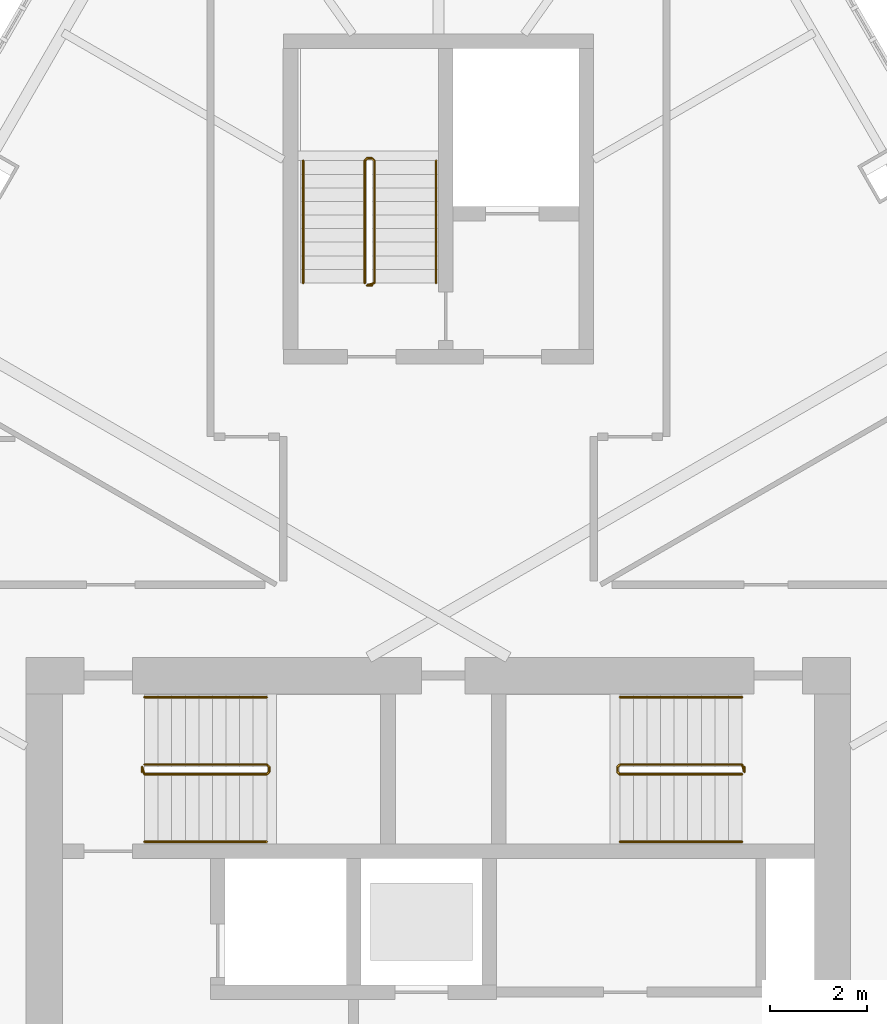
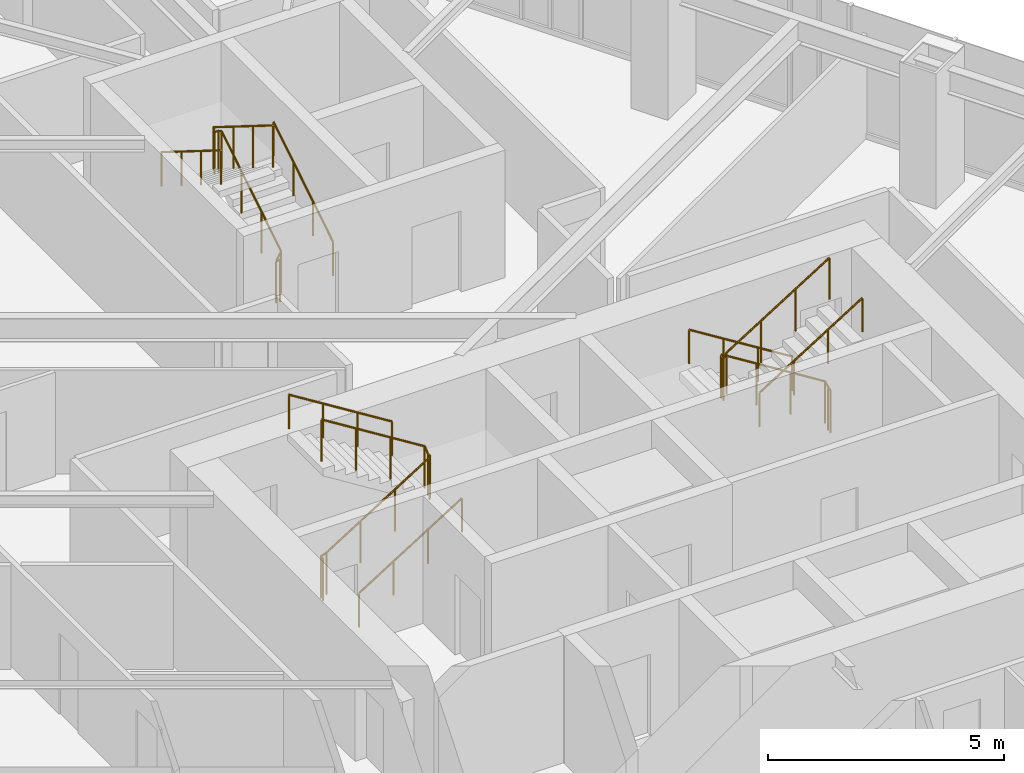
# One storey, part 19 of 20: 9 railings.
"""IFC4 building model written with IfcOpenShell, lengths in metres."""

from ifc_helpers import new_model, si_unit, direction, frame, origin, origin_2d, place, context, subcontext, project, spatial, circle, extrude, material, type_object, element, save


model = new_model("IFC4")

# Units and contexts
model_context = context("Model", 3, precision=1e-05, world=origin(), true_north=direction((0.0, 1.0)))
body_context = subcontext(model_context, "Body", "Model", "MODEL_VIEW")
ifc_project = project(units=[si_unit("LENGTHUNIT", "METRE"), si_unit("AREAUNIT", "SQUARE_METRE"), si_unit("VOLUMEUNIT", "CUBIC_METRE"), si_unit("PLANEANGLEUNIT", "RADIAN"), si_unit("MASSUNIT", "GRAM", prefix="KILO")], contexts=[model_context])

# Site, building, storey
site_placement = place(None, origin())
site = spatial("IfcSite", under=ifc_project, at=site_placement, CompositionType="ELEMENT")
building_placement = place(site_placement, origin())
building = spatial("IfcBuilding", under=site, at=building_placement, Name="Firuza Gate Tower and Library", CompositionType="ELEMENT")
storey_placement = place(building_placement, frame((0.0, 0.0, 277.60009765625)))
storey = spatial("IfcBuildingStorey", under=building, at=storey_placement, Name="L66", CompositionType="ELEMENT", Elevation=277.60009765625)

# Railings
ifc_material_1 = material(Name="Steel S355", Category="steel")
railing_type_1 = type_object("IfcRailingType", Name="Stair guard 1100", PredefinedType="GUARDRAIL", material=ifc_material_1)
railing_1_placement = place(storey_placement, frame((68.889892578125, 79.389892578125, 0.0)))
element("IfcRailing", 1, at=railing_1_placement, inside=storey, type_object=railing_type_1, Name="L66 ST1 stair guard 1", PredefinedType="GUARDRAIL", context=body_context, shape_type="SweptSolid", body=[
    extrude(circle(Radius=0.02392578125, at=origin_2d()), frame((0.0, 0.0, 1.076171875), z_axis=(0.0, 1.0, 0.0), x_axis=(-1.0, 0.0, 0.0)), (0.0, 0.0, 1.0), 0.10009765625),
    extrude(circle(Radius=0.02392578125, at=origin_2d()), frame((0.0, 0.10009765625, 1.076171875), z_axis=(0.212383695785, -0.636115069328, 0.741788908207), x_axis=(0.948528701346, 0.316691178788, 0.0)), (0.0, 0.0, 1.0), 0.235595703125),
    extrude(circle(Radius=0.02392578125, at=origin_2d()), frame((0.050048828125, -0.0498046875, 1.2509765625), z_axis=(0.847970611238, 0.0, 0.530043245855), x_axis=(0.0, 1.0, 0.0)), (0.0, 0.0, 1.0), 2.971923828125),
    extrude(circle(Radius=0.02392578125, at=origin_2d()), frame((2.570068359375, -0.0498046875, 2.826171875), z_axis=(0.708833529934, 0.705375805398, 0.0), x_axis=(-0.705375805398, 0.708833529934, 0.0)), (0.0, 0.0, 1.0), 0.070556640625),
    extrude(circle(Radius=0.02392578125, at=origin_2d()), frame((2.6201171875, 0.0, 2.826171875), z_axis=(0.0, 1.0, 0.0), x_axis=(-1.0, 0.0, 0.0)), (0.0, 0.0, 1.0), 0.10009765625),
    extrude(circle(Radius=0.02392578125, at=origin_2d()), frame((2.6201171875, 0.10009765625, 2.826171875), z_axis=(-0.265383341853, 0.265383341853, 0.926899867156), x_axis=(-0.707106781187, -0.707106781187, 0.0)), (0.0, 0.0, 1.0), 0.1884765625),
    extrude(circle(Radius=0.02392578125, at=origin_2d()), frame((2.570068359375, 0.150146484375, 3.0009765625), z_axis=(-0.847970611238, 0.0, 0.530043245855), x_axis=(0.0, -1.0, 0.0)), (0.0, 0.0, 1.0), 2.971923828125),
    extrude(circle(Radius=0.02099609375, at=origin_2d()), origin(), (0.0, 0.0, 1.0), 1.052001953125),
    extrude(circle(Radius=0.02099609375, at=origin_2d()), frame((0.0, 0.10009765625, 0.0)), (0.0, 0.0, 1.0), 1.052001953125),
    extrude(circle(Radius=0.02099609375, at=origin_2d()), frame((0.050048828125, -0.0498046875, 0.1748046875)), (0.0, 0.0, 1.0), 1.052001953125),
    extrude(circle(Radius=0.02099609375, at=origin_2d()), frame((0.89013671875, -0.0498046875, 0.699951171875)), (0.0, 0.0, 1.0), 1.052001953125),
    extrude(circle(Radius=0.02099609375, at=origin_2d()), frame((1.72998046875, -0.0498046875, 1.224853515625)), (0.0, 0.0, 1.0), 1.052001953125),
    extrude(circle(Radius=0.02099609375, at=origin_2d()), frame((2.570068359375, -0.0498046875, 1.75)), (0.0, 0.0, 1.0), 1.052001953125),
    extrude(circle(Radius=0.02099609375, at=origin_2d()), frame((2.6201171875, 0.0, 1.75)), (0.0, 0.0, 1.0), 1.052001953125),
    extrude(circle(Radius=0.02099609375, at=origin_2d()), frame((2.6201171875, 0.10009765625, 1.75)), (0.0, 0.0, 1.0), 1.052001953125),
    extrude(circle(Radius=0.02099609375, at=origin_2d()), frame((2.570068359375, 0.150146484375, 1.9248046875)), (0.0, 0.0, 1.0), 1.052001953125),
    extrude(circle(Radius=0.02099609375, at=origin_2d()), frame((1.72998046875, 0.150146484375, 2.449951171875)), (0.0, 0.0, 1.0), 1.052001953125),
    extrude(circle(Radius=0.02099609375, at=origin_2d()), frame((0.89013671875, 0.150146484375, 2.974853515625)), (0.0, 0.0, 1.0), 1.052001953125),
    extrude(circle(Radius=0.02099609375, at=origin_2d()), frame((0.050048828125, 0.150146484375, 3.5)), (0.0, 0.0, 1.0), 1.052001953125),
])
railing_2_placement = place(storey_placement, frame((81.31005859375, 79.489990234375, 0.0)))
element("IfcRailing", 2, at=railing_2_placement, inside=storey, type_object=railing_type_1, Name="L66 ST2 stair guard 1", PredefinedType="GUARDRAIL", context=body_context, shape_type="SweptSolid", body=[
    extrude(circle(Radius=0.02392578125, at=origin_2d()), frame((0.0, 0.0, 1.076171875), z_axis=(0.0, -1.0, 0.0), x_axis=(1.0, 0.0, 0.0)), (0.0, 0.0, 1.0), 0.10009765625),
    extrude(circle(Radius=0.02392578125, at=origin_2d()), frame((0.0, -0.10009765625, 1.076171875), z_axis=(-0.21224375372, 0.63673126116, 0.741300134944), x_axis=(-0.948683298051, -0.316227766017, 0.0)), (0.0, 0.0, 1.0), 0.23583984375),
    extrude(circle(Radius=0.02392578125, at=origin_2d()), frame((-0.050048828125, 0.050048828125, 1.2509765625), z_axis=(-0.847970611238, 0.0, 0.530043245855), x_axis=(0.0, -1.0, 0.0)), (0.0, 0.0, 1.0), 2.971923828125),
    extrude(circle(Radius=0.02392578125, at=origin_2d()), frame((-2.570068359375, 0.050048828125, 2.826171875), z_axis=(-0.707106781187, -0.707106781187, 0.0), x_axis=(0.707106781187, -0.707106781187, 0.0)), (0.0, 0.0, 1.0), 0.07080078125),
    extrude(circle(Radius=0.02392578125, at=origin_2d()), frame((-2.6201171875, 0.0, 2.826171875), z_axis=(0.0, -1.0, 0.0), x_axis=(1.0, 0.0, 0.0)), (0.0, 0.0, 1.0), 0.10009765625),
    extrude(circle(Radius=0.02392578125, at=origin_2d()), frame((-2.6201171875, -0.10009765625, 2.826171875), z_axis=(0.265474339444, -0.264179342666, 0.927217692888), x_axis=(0.705375805398, 0.708833529934, 0.0)), (0.0, 0.0, 1.0), 0.1884765625),
    extrude(circle(Radius=0.02392578125, at=origin_2d()), frame((-2.570068359375, -0.14990234375, 3.0009765625), z_axis=(0.847970611238, 0.0, 0.530043245855), x_axis=(0.0, 1.0, 0.0)), (0.0, 0.0, 1.0), 2.971923828125),
    extrude(circle(Radius=0.02099609375, at=origin_2d()), origin(), (0.0, 0.0, 1.0), 1.052001953125),
    extrude(circle(Radius=0.02099609375, at=origin_2d()), frame((0.0, -0.10009765625, 0.0)), (0.0, 0.0, 1.0), 1.052001953125),
    extrude(circle(Radius=0.02099609375, at=origin_2d()), frame((-0.050048828125, 0.050048828125, 0.1748046875)), (0.0, 0.0, 1.0), 1.052001953125),
    extrude(circle(Radius=0.02099609375, at=origin_2d()), frame((-0.89013671875, 0.050048828125, 0.699951171875)), (0.0, 0.0, 1.0), 1.052001953125),
    extrude(circle(Radius=0.02099609375, at=origin_2d()), frame((-1.72998046875, 0.050048828125, 1.224853515625)), (0.0, 0.0, 1.0), 1.052001953125),
    extrude(circle(Radius=0.02099609375, at=origin_2d()), frame((-2.570068359375, 0.050048828125, 1.75)), (0.0, 0.0, 1.0), 1.052001953125),
    extrude(circle(Radius=0.02099609375, at=origin_2d()), frame((-2.6201171875, 0.0, 1.75)), (0.0, 0.0, 1.0), 1.052001953125),
    extrude(circle(Radius=0.02099609375, at=origin_2d()), frame((-2.6201171875, -0.10009765625, 1.75)), (0.0, 0.0, 1.0), 1.052001953125),
    extrude(circle(Radius=0.02099609375, at=origin_2d()), frame((-2.570068359375, -0.14990234375, 1.9248046875)), (0.0, 0.0, 1.0), 1.052001953125),
    extrude(circle(Radius=0.02099609375, at=origin_2d()), frame((-1.72998046875, -0.14990234375, 2.449951171875)), (0.0, 0.0, 1.0), 1.052001953125),
    extrude(circle(Radius=0.02099609375, at=origin_2d()), frame((-0.89013671875, -0.14990234375, 2.974853515625)), (0.0, 0.0, 1.0), 1.052001953125),
    extrude(circle(Radius=0.02099609375, at=origin_2d()), frame((-0.050048828125, -0.14990234375, 3.5)), (0.0, 0.0, 1.0), 1.052001953125),
])
railing_3_placement = place(storey_placement, frame((73.6298828125, 89.419921875, 0.0)))
element("IfcRailing", 3, at=railing_3_placement, inside=storey, type_object=railing_type_1, Name="L66 ST3 stair guard 1", PredefinedType="GUARDRAIL", context=body_context, shape_type="SweptSolid", body=[
    extrude(circle(Radius=0.02392578125, at=origin_2d()), frame((0.0, 0.0, 1.076171875), z_axis=(-1.0, 0.0, 0.0), x_axis=(0.0, -1.0, 0.0)), (0.0, 0.0, 1.0), 0.099853515625),
    extrude(circle(Radius=0.02392578125, at=origin_2d()), frame((-0.099853515625, 0.0, 1.076171875), z_axis=(0.636115069328, 0.212383695785, 0.741788908207), x_axis=(-0.316691178788, 0.948528701346, 0.0)), (0.0, 0.0, 1.0), 0.235595703125),
    extrude(circle(Radius=0.02392578125, at=origin_2d()), frame((0.050048828125, 0.050048828125, 1.2509765625), z_axis=(0.0, 0.847970611238, 0.530043245855), x_axis=(-1.0, 0.0, 0.0)), (0.0, 0.0, 1.0), 2.971923828125),
    extrude(circle(Radius=0.02392578125, at=origin_2d()), frame((0.050048828125, 2.570068359375, 2.826171875), z_axis=(-0.707106781187, 0.707106781187, 0.0), x_axis=(-0.707106781187, -0.707106781187, 0.0)), (0.0, 0.0, 1.0), 0.07080078125),
    extrude(circle(Radius=0.02392578125, at=origin_2d()), frame((0.0, 2.6201171875, 2.826171875), z_axis=(-1.0, 0.0, 0.0), x_axis=(0.0, -1.0, 0.0)), (0.0, 0.0, 1.0), 0.099853515625),
    extrude(circle(Radius=0.02392578125, at=origin_2d()), frame((-0.099853515625, 2.6201171875, 2.826171875), z_axis=(-0.265383341853, -0.265383341853, 0.926899867156), x_axis=(0.707106781187, -0.707106781187, 0.0)), (0.0, 0.0, 1.0), 0.1884765625),
    extrude(circle(Radius=0.02392578125, at=origin_2d()), frame((-0.14990234375, 2.570068359375, 3.0009765625), z_axis=(0.0, -0.847970611238, 0.530043245855), x_axis=(1.0, 0.0, 0.0)), (0.0, 0.0, 1.0), 2.971923828125),
    extrude(circle(Radius=0.02099609375, at=origin_2d()), origin(), (0.0, 0.0, 1.0), 1.052001953125),
    extrude(circle(Radius=0.02099609375, at=origin_2d()), frame((-0.099853515625, 0.0, 0.0)), (0.0, 0.0, 1.0), 1.052001953125),
    extrude(circle(Radius=0.02099609375, at=origin_2d()), frame((0.050048828125, 0.050048828125, 0.1748046875)), (0.0, 0.0, 1.0), 1.052001953125),
    extrude(circle(Radius=0.02099609375, at=origin_2d()), frame((0.050048828125, 0.89013671875, 0.699951171875)), (0.0, 0.0, 1.0), 1.052001953125),
    extrude(circle(Radius=0.02099609375, at=origin_2d()), frame((0.050048828125, 1.72998046875, 1.224853515625)), (0.0, 0.0, 1.0), 1.052001953125),
    extrude(circle(Radius=0.02099609375, at=origin_2d()), frame((0.050048828125, 2.570068359375, 1.75)), (0.0, 0.0, 1.0), 1.052001953125),
    extrude(circle(Radius=0.02099609375, at=origin_2d()), frame((0.0, 2.6201171875, 1.75)), (0.0, 0.0, 1.0), 1.052001953125),
    extrude(circle(Radius=0.02099609375, at=origin_2d()), frame((-0.099853515625, 2.6201171875, 1.75)), (0.0, 0.0, 1.0), 1.052001953125),
    extrude(circle(Radius=0.02099609375, at=origin_2d()), frame((-0.14990234375, 2.570068359375, 1.9248046875)), (0.0, 0.0, 1.0), 1.052001953125),
    extrude(circle(Radius=0.02099609375, at=origin_2d()), frame((-0.14990234375, 1.72998046875, 2.449951171875)), (0.0, 0.0, 1.0), 1.052001953125),
    extrude(circle(Radius=0.02099609375, at=origin_2d()), frame((-0.14990234375, 0.89013671875, 2.974853515625)), (0.0, 0.0, 1.0), 1.052001953125),
    extrude(circle(Radius=0.02099609375, at=origin_2d()), frame((-0.14990234375, 0.050048828125, 3.5)), (0.0, 0.0, 1.0), 1.052001953125),
])
ifc_material_2 = material(Name="Steel S355", Category="steel")
railing_type_2 = type_object("IfcRailingType", Name="Stair handrail 900", PredefinedType="HANDRAIL", material=ifc_material_2)
railing_4_placement = place(storey_placement, frame((68.93994140625, 77.949951171875, 0.1748046875)))
element("IfcRailing", 4, at=railing_4_placement, inside=storey, type_object=railing_type_2, Name="L66 ST1 stair handrail 1", PredefinedType="HANDRAIL", context=body_context, shape_type="SweptSolid", body=[
    extrude(circle(Radius=0.02392578125, at=origin_2d()), frame((0.0, 0.0, 0.8759765625), z_axis=(0.847970611238, 0.0, 0.530043245855), x_axis=(0.0, 1.0, 0.0)), (0.0, 0.0, 1.0), 2.971923828125),
    extrude(circle(Radius=0.02099609375, at=origin_2d()), origin(), (0.0, 0.0, 1.0), 0.851806640625),
    extrude(circle(Radius=0.02099609375, at=origin_2d()), frame((0.840087890625, 0.0, 0.525146484375)), (0.0, 0.0, 1.0), 0.851806640625),
    extrude(circle(Radius=0.02099609375, at=origin_2d()), frame((1.679931640625, 0.0, 1.050048828125)), (0.0, 0.0, 1.0), 0.851806640625),
    extrude(circle(Radius=0.02099609375, at=origin_2d()), frame((2.52001953125, 0.0, 1.5751953125)), (0.0, 0.0, 1.0), 0.851806640625),
])
for number, where, name in (
    (5, (71.4599609375, 80.929931640625, 1.9248046875), "L66 ST1 stair handrail 2"),
    (6, (81.260009765625, 80.929931640625, 0.1748046875), "L66 ST2 stair handrail 1"),
):
    element("IfcRailing", number, at=place(storey_placement, frame(where)), inside=storey, type_object=railing_type_2, Name=name, PredefinedType="HANDRAIL", context=body_context, shape_type="SweptSolid", body=[
        extrude(circle(Radius=0.02392578125, at=origin_2d()), frame((0.0, 0.0, 0.8759765625), z_axis=(-0.847970611238, 0.0, 0.530043245855), x_axis=(0.0, -1.0, 0.0)), (0.0, 0.0, 1.0), 2.971923828125),
        extrude(circle(Radius=0.02099609375, at=origin_2d()), origin(), (0.0, 0.0, 1.0), 0.851806640625),
        extrude(circle(Radius=0.02099609375, at=origin_2d()), frame((-0.840087890625, 0.0, 0.525146484375)), (0.0, 0.0, 1.0), 0.851806640625),
        extrude(circle(Radius=0.02099609375, at=origin_2d()), frame((-1.679931640625, 0.0, 1.050048828125)), (0.0, 0.0, 1.0), 0.851806640625),
        extrude(circle(Radius=0.02099609375, at=origin_2d()), frame((-2.52001953125, 0.0, 1.5751953125)), (0.0, 0.0, 1.0), 0.851806640625),
    ])
railing_5_placement = place(storey_placement, frame((78.739990234375, 77.949951171875, 1.9248046875)))
element("IfcRailing", 7, at=railing_5_placement, inside=storey, type_object=railing_type_2, Name="L66 ST2 stair handrail 2", PredefinedType="HANDRAIL", context=body_context, shape_type="SweptSolid", body=[
    extrude(circle(Radius=0.02392578125, at=origin_2d()), frame((0.0, 0.0, 0.8759765625), z_axis=(0.847970611238, 0.0, 0.530043245855), x_axis=(0.0, 1.0, 0.0)), (0.0, 0.0, 1.0), 2.971923828125),
    extrude(circle(Radius=0.02099609375, at=origin_2d()), origin(), (0.0, 0.0, 1.0), 0.851806640625),
    extrude(circle(Radius=0.02099609375, at=origin_2d()), frame((0.840087890625, 0.0, 0.525146484375)), (0.0, 0.0, 1.0), 0.851806640625),
    extrude(circle(Radius=0.02099609375, at=origin_2d()), frame((1.679931640625, 0.0, 1.050048828125)), (0.0, 0.0, 1.0), 0.851806640625),
    extrude(circle(Radius=0.02099609375, at=origin_2d()), frame((2.52001953125, 0.0, 1.5751953125)), (0.0, 0.0, 1.0), 0.851806640625),
])
railing_6_placement = place(storey_placement, frame((74.949951171875, 89.469970703125, 0.1748046875)))
element("IfcRailing", 8, at=railing_6_placement, inside=storey, type_object=railing_type_2, Name="L66 ST3 stair handrail 1", PredefinedType="HANDRAIL", context=body_context, shape_type="SweptSolid", body=[
    extrude(circle(Radius=0.02392578125, at=origin_2d()), frame((0.0, 0.0, 0.8759765625), z_axis=(0.0, 0.847970611238, 0.530043245855), x_axis=(-1.0, 0.0, 0.0)), (0.0, 0.0, 1.0), 2.971923828125),
    extrude(circle(Radius=0.02099609375, at=origin_2d()), origin(), (0.0, 0.0, 1.0), 0.851806640625),
    extrude(circle(Radius=0.02099609375, at=origin_2d()), frame((0.0, 0.840087890625, 0.525146484375)), (0.0, 0.0, 1.0), 0.851806640625),
    extrude(circle(Radius=0.02099609375, at=origin_2d()), frame((0.0, 1.679931640625, 1.050048828125)), (0.0, 0.0, 1.0), 0.851806640625),
    extrude(circle(Radius=0.02099609375, at=origin_2d()), frame((0.0, 2.52001953125, 1.5751953125)), (0.0, 0.0, 1.0), 0.851806640625),
])
railing_7_placement = place(storey_placement, frame((72.2099609375, 91.989990234375, 1.9248046875)))
element("IfcRailing", 9, at=railing_7_placement, inside=storey, type_object=railing_type_2, Name="L66 ST3 stair handrail 2", PredefinedType="HANDRAIL", context=body_context, shape_type="SweptSolid", body=[
    extrude(circle(Radius=0.02392578125, at=origin_2d()), frame((0.0, 0.0, 0.8759765625), z_axis=(0.0, -0.847970611238, 0.530043245855), x_axis=(1.0, 0.0, 0.0)), (0.0, 0.0, 1.0), 2.971923828125),
    extrude(circle(Radius=0.02099609375, at=origin_2d()), origin(), (0.0, 0.0, 1.0), 0.851806640625),
    extrude(circle(Radius=0.02099609375, at=origin_2d()), frame((0.0, -0.840087890625, 0.525146484375)), (0.0, 0.0, 1.0), 0.851806640625),
    extrude(circle(Radius=0.02099609375, at=origin_2d()), frame((0.0, -1.679931640625, 1.050048828125)), (0.0, 0.0, 1.0), 0.851806640625),
    extrude(circle(Radius=0.02099609375, at=origin_2d()), frame((0.0, -2.52001953125, 1.5751953125)), (0.0, 0.0, 1.0), 0.851806640625),
])

save(model, "model.ifc")
